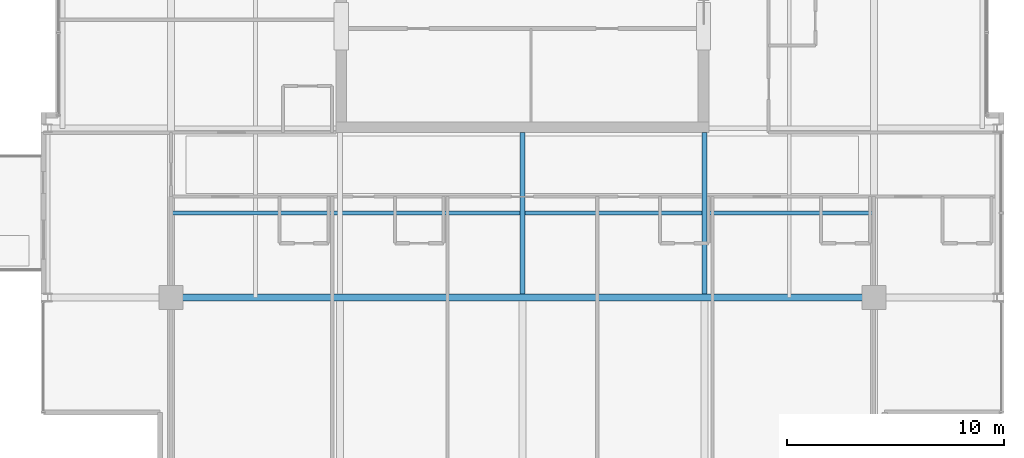
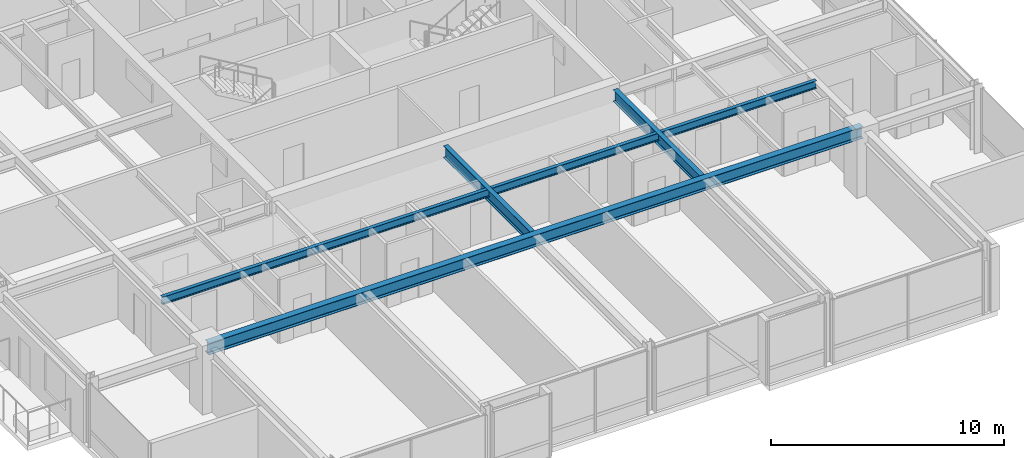
# One storey, part 7 of 32: 4 beams.
"""IFC4 building model written with IfcOpenShell, lengths in metres."""

from ifc_helpers import new_model, si_unit, direction, frame, origin, origin_2d, place, context, subcontext, project, spatial, i_section, extrude, material, material_profile, profile_set, type_object, element, save


model = new_model("IFC4")

# Units and contexts
model_context = context("Model", 3, precision=1e-05, world=origin(), true_north=direction((0.0, 1.0)))
body_context = subcontext(model_context, "Body", "Model", "MODEL_VIEW")
ifc_project = project(units=[si_unit("LENGTHUNIT", "METRE"), si_unit("AREAUNIT", "SQUARE_METRE"), si_unit("VOLUMEUNIT", "CUBIC_METRE"), si_unit("PLANEANGLEUNIT", "RADIAN"), si_unit("MASSUNIT", "GRAM", prefix="KILO")], contexts=[model_context])

# Site, building, storey
site_placement = place(None, origin())
site = spatial("IfcSite", under=ifc_project, at=site_placement, CompositionType="ELEMENT")
building_placement = place(site_placement, origin())
building = spatial("IfcBuilding", under=site, at=building_placement, Name="Drelvath Grand Hotel", CompositionType="ELEMENT")
storey_placement = place(building_placement, frame((0.0, 0.0, 233.89990234375)))
storey = spatial("IfcBuildingStorey", under=building, at=storey_placement, Name="L61", CompositionType="ELEMENT", Elevation=233.89990234375)

# Beams
ifc_material = material(Name="Steel ASTM A992 Gr 50", Category="steel")
ifc_material_profile_1 = material_profile(ifc_material, i_section(OverallWidth=0.177734375, OverallDepth=0.40673828125, WebThickness=0.0078125, FlangeThickness=0.0126953125, FilletRadius=0.014892578125, at=origin_2d()), Name="W16X40")
ifc_profile_set_1 = profile_set([ifc_material_profile_1], Name="Steel ASTM A992 Gr 50")
beam_type_1 = type_object("IfcBeamType", Name="Composite Floor Joist W16X40", PredefinedType="JOIST", material=ifc_profile_set_1)
beam_1_placement = place(storey_placement, frame((-16.199951171875, 14.699951171875, 3.13671875), z_axis=(1.0, 0.0, 0.0), x_axis=(0.0, 1.0, 0.0)))
element("IfcBeam", 1, at=beam_1_placement, inside=storey, type_object=beam_type_1, Name="L61 Floor Joist J1", PredefinedType="JOIST", context=body_context, shape_type="SweptSolid", body=[
    extrude(i_section(OverallWidth=0.177734375, OverallDepth=0.40673828125, WebThickness=0.0078125, FlangeThickness=0.0126953125, FilletRadius=0.014892578125, at=origin_2d()), origin(), (0.0, 0.0, 1.0), 32.39990234375),
])
ifc_material_profile_2 = material_profile(ifc_material, i_section(OverallWidth=0.323974609375, OverallDepth=0.611083984375, WebThickness=0.0126953125, FlangeThickness=0.01904296875, FilletRadius=0.02197265625, at=origin_2d()), Name="W24X104")
ifc_profile_set_2 = profile_set([ifc_material_profile_2], Name="Steel ASTM A992 Gr 50")
beam_type_2 = type_object("IfcBeamType", Name="Primary Floor Girder W24X104", PredefinedType="BEAM", material=ifc_profile_set_2)
beam_2_placement = place(storey_placement, frame((-16.199951171875, 10.800048828125, 3.034423828125), z_axis=(1.0, 0.0, 0.0), x_axis=(0.0, 1.0, 0.0)))
element("IfcBeam", 2, at=beam_2_placement, inside=storey, type_object=beam_type_2, Name="L61 Mega Ring Girder South", PredefinedType="BEAM", context=body_context, shape_type="SweptSolid", body=[
    extrude(i_section(OverallWidth=0.323974609375, OverallDepth=0.611083984375, WebThickness=0.0126953125, FlangeThickness=0.01904296875, FilletRadius=0.02197265625, at=origin_2d()), origin(), (0.0, 0.0, 1.0), 32.39990234375),
])
ifc_material_profile_3 = material_profile(ifc_material, i_section(OverallWidth=0.228271484375, OverallDepth=0.607666015625, WebThickness=0.01123046875, FlangeThickness=0.017333984375, FilletRadius=0.02001953125, at=origin_2d()), Name="W24X76")
ifc_profile_set_3 = profile_set([ifc_material_profile_3], Name="Steel ASTM A992 Gr 50")
beam_type_3 = type_object("IfcBeamType", Name="Primary Floor Girder W24X76", PredefinedType="BEAM", material=ifc_profile_set_3)
for number, where, z_axis, x_axis, name in (
    (3, (0.0, 10.9619140625, 3.036376953125), (0.0, 1.0, 0.0), (-1.0, 0.0, 0.0), "L61 South Core Tie 5"),
    (4, (8.39990234375, 10.9619140625, 3.036376953125), (0.0, 1.0, 0.0), (-1.0, 0.0, 0.0), "L61 South Core Tie 6"),
):
    element("IfcBeam", number, at=place(storey_placement, frame(where, z_axis=z_axis, x_axis=x_axis)), inside=storey, type_object=beam_type_3, Name=name, PredefinedType="BEAM", context=body_context, shape_type="SweptSolid", body=[
        extrude(i_section(OverallWidth=0.228271484375, OverallDepth=0.607666015625, WebThickness=0.01123046875, FlangeThickness=0.017333984375, FilletRadius=0.02001953125, at=origin_2d()), origin(), (0.0, 0.0, 1.0), 7.43798828125),
    ])

save(model, "model.ifc")
